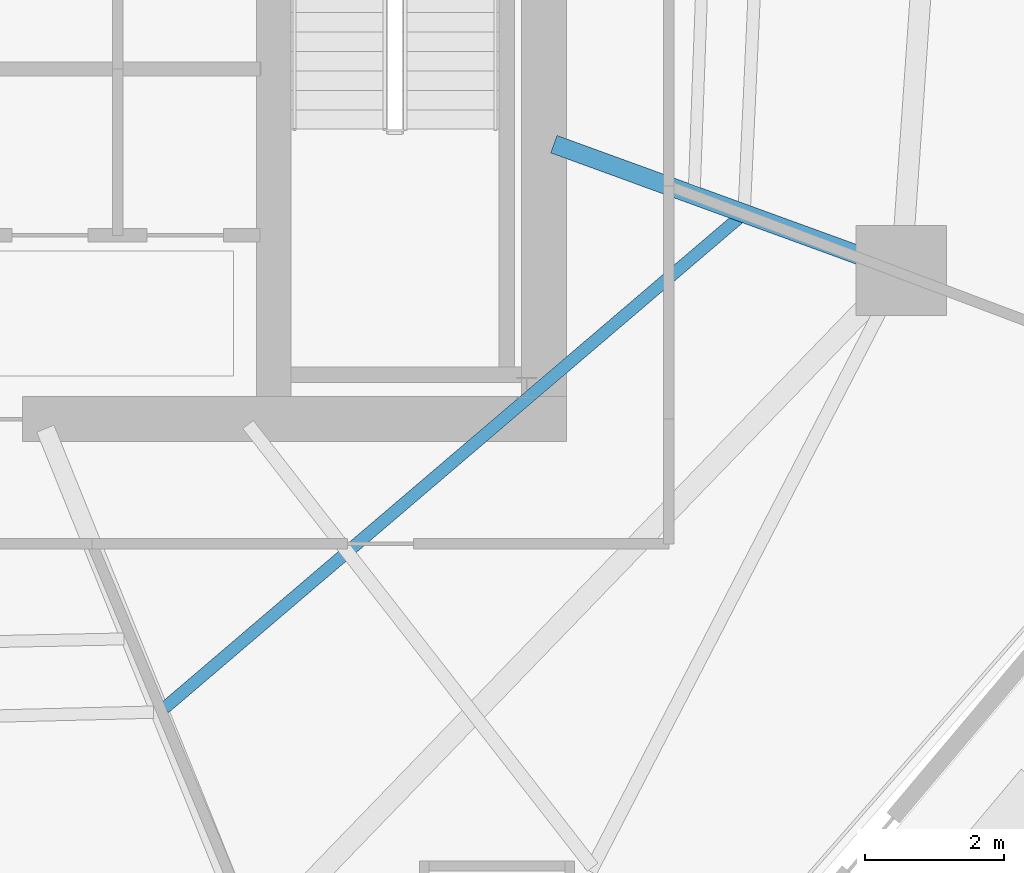
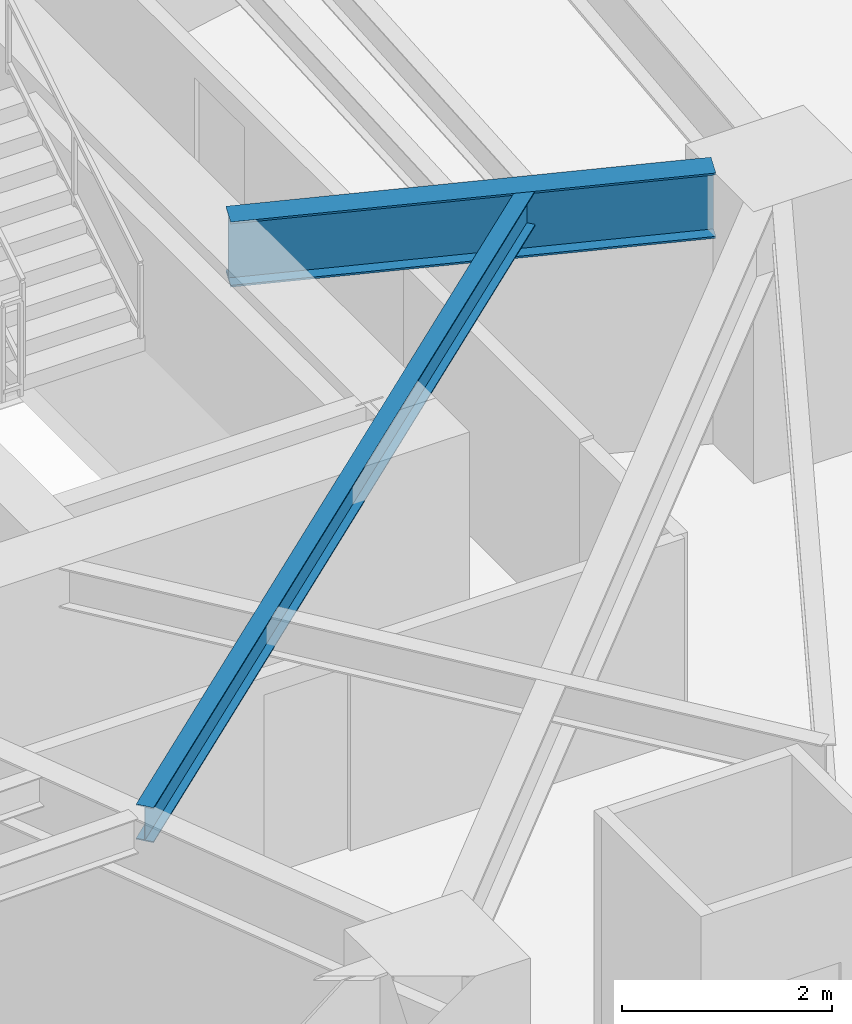
# One storey, part 13 of 33: 2 beams.
"""IFC4 building model written with IfcOpenShell, lengths in metres."""

from ifc_helpers import new_model, si_unit, direction, frame, origin, origin_2d, place, context, subcontext, project, spatial, i_section, extrude, material, material_profile, profile_set, type_object, element, save


model = new_model("IFC4")

# Units and contexts
model_context = context("Model", 3, precision=1e-05, world=origin(), true_north=direction((0.0, 1.0)))
body_context = subcontext(model_context, "Body", "Model", "MODEL_VIEW")
ifc_project = project(units=[si_unit("LENGTHUNIT", "METRE"), si_unit("AREAUNIT", "SQUARE_METRE"), si_unit("VOLUMEUNIT", "CUBIC_METRE"), si_unit("PLANEANGLEUNIT", "RADIAN"), si_unit("MASSUNIT", "GRAM", prefix="KILO")], contexts=[model_context])

# Site, building, storey
site_placement = place(None, origin())
site = spatial("IfcSite", under=ifc_project, at=site_placement, CompositionType="ELEMENT")
building_placement = place(site_placement, origin())
building = spatial("IfcBuilding", under=site, at=building_placement, Name="Qarnah Convention Tower", CompositionType="ELEMENT")
storey_placement = place(building_placement, frame((0.0, 0.0, 30.449951171875)))
storey = spatial("IfcBuildingStorey", under=building, at=storey_placement, Name="L06", CompositionType="ELEMENT", Elevation=30.449951171875)

# Beams
ifc_material = material(Name="Structural steel S355JR", Category="steel")
ifc_material_profile_1 = material_profile(ifc_material, i_section(OverallWidth=0.177978515625, OverallDepth=0.407958984375, WebThickness=0.008056640625, FlangeThickness=0.012939453125, at=origin_2d()), Name="W410X60")
ifc_profile_set_1 = profile_set([ifc_material_profile_1], Name="Structural steel S355JR")
beam_type_1 = type_object("IfcBeamType", Name="BM-JST-W410", PredefinedType="JOIST", material=ifc_profile_set_1)
beam_1_placement = place(storey_placement, frame((42.126953125, 14.43310546875, 2.966064453125), z_axis=(0.760695347203, 0.649109073071, 0.0), x_axis=(-0.649109073071, 0.760695347203, 0.0)))
element("IfcBeam", 1, at=beam_1_placement, inside=storey, type_object=beam_type_1, Name="L06 joist BM-L06-SJST-08", PredefinedType="JOIST", context=body_context, shape_type="SweptSolid", body=[
    extrude(i_section(OverallWidth=0.177978515625, OverallDepth=0.407958984375, WebThickness=0.008056640625, FlangeThickness=0.012939453125, at=origin_2d()), origin(), (0.0, 0.0, 1.0), 10.89794921875),
])
ifc_material_profile_2 = material_profile(ifc_material, i_section(OverallWidth=0.26806640625, OverallDepth=0.760009765625, WebThickness=0.014892578125, FlangeThickness=0.02197265625, at=origin_2d()), Name="W760X185")
ifc_profile_set_2 = profile_set([ifc_material_profile_2], Name="Structural steel S355JR")
beam_type_2 = type_object("IfcBeamType", Name="BM-RAD-W760", PredefinedType="BEAM", material=ifc_profile_set_2)
beam_2_placement = place(storey_placement, frame((47.740966796875, 22.56396484375, 2.7900390625), z_axis=(0.939656930297, -0.342118186224, 0.0), x_axis=(0.342118186224, 0.939656930297, 0.0)))
element("IfcBeam", 2, at=beam_2_placement, inside=storey, type_object=beam_type_2, Name="L06 beam BM-L06-RAD-09", PredefinedType="BEAM", context=body_context, shape_type="SweptSolid", body=[
    extrude(i_section(OverallWidth=0.26806640625, OverallDepth=0.760009765625, WebThickness=0.014892578125, FlangeThickness=0.02197265625, at=origin_2d()), origin(), (0.0, 0.0, 1.0), 4.70263671875),
])

save(model, "model.ifc")
